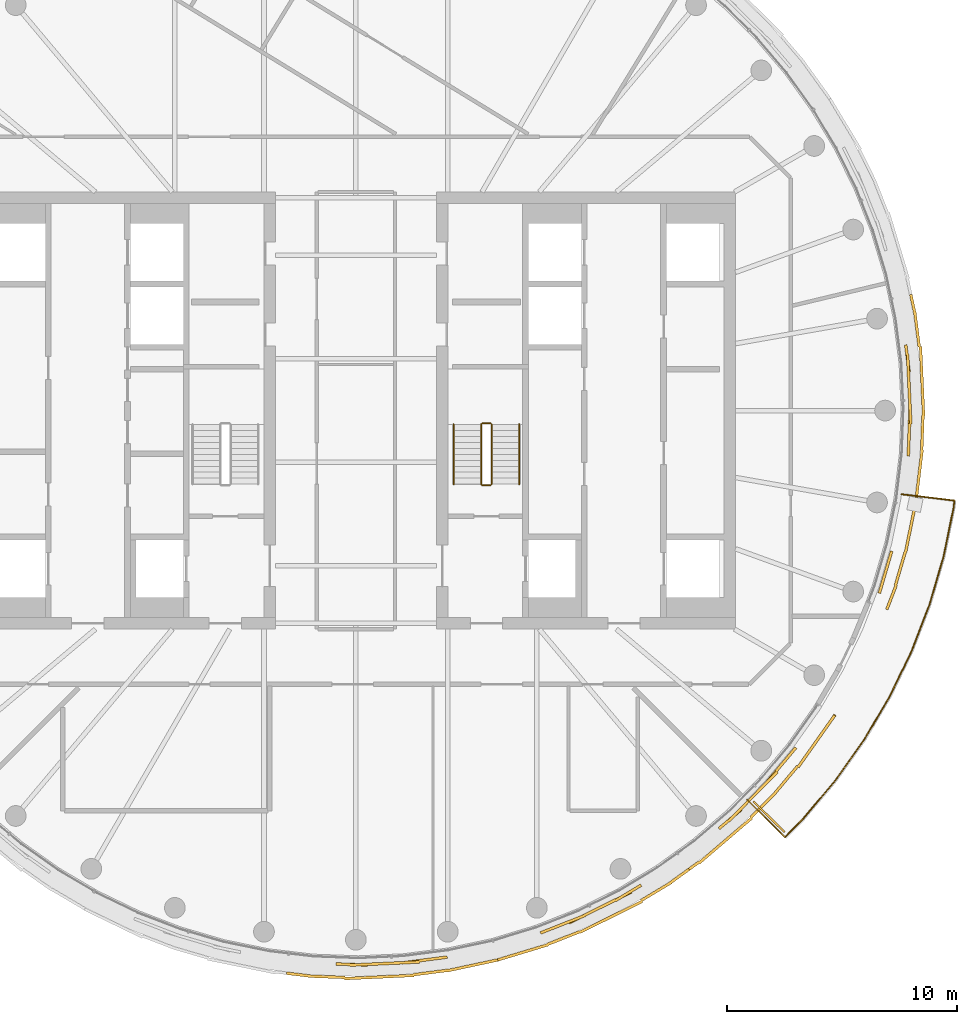
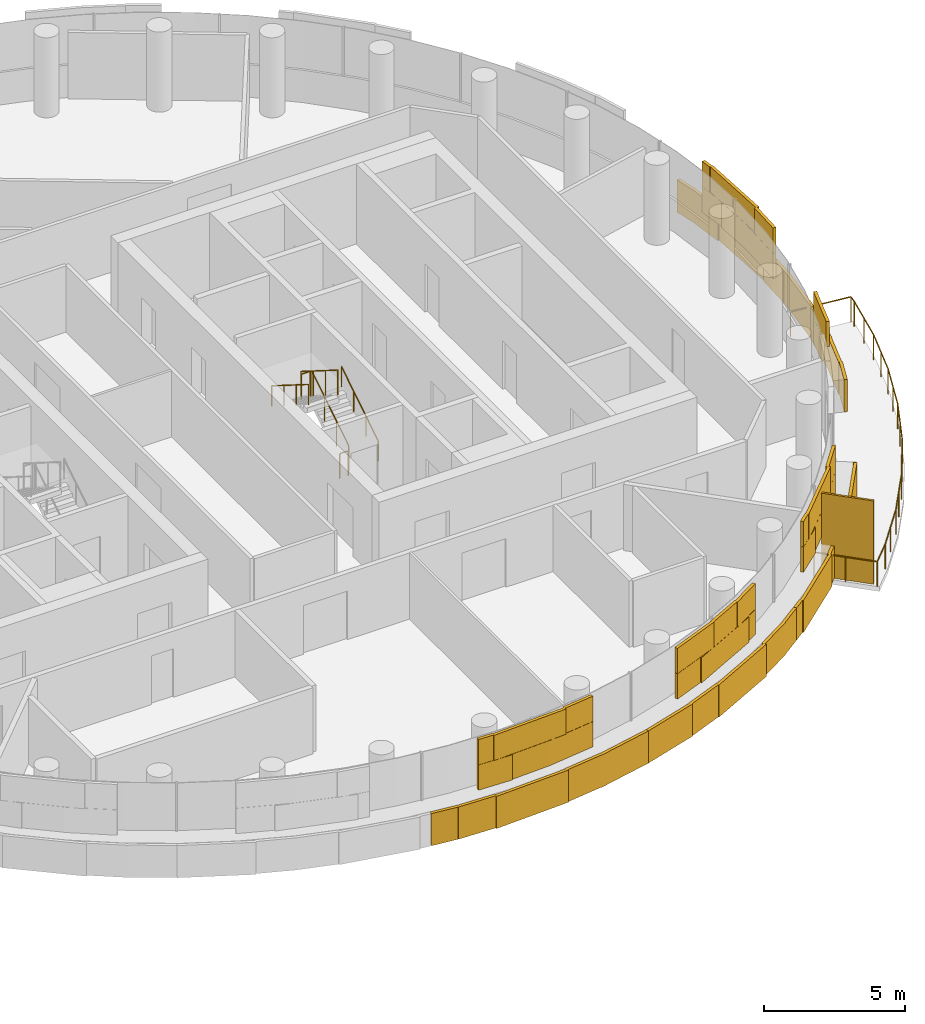
# One storey, part 24 of 27: 7 railings, 5 coverings, 1 shading device.
"""IFC4 building model written with IfcOpenShell, lengths in metres."""

import ifcopenshell
import ifcopenshell.guid

model = None  # the IFC model being written
_history = None  # IfcOwnerHistory: only IFC2X3 demands one
_inside = {}  # id of a spatial element -> (the spatial element, [elements in it])
_under = {}  # id of a project, library or spatial element -> (it, [spatial elements below it])
_declared = {}  # id of a project -> (the project, [libraries it declares])
_typed = {}  # id of a type object -> (the type object, [elements of that type])
_made_of = {}  # id of a material, layer set ... -> (it, [elements and type objects made of it])


def new_model(schema):
    """Start an empty IFC model of exactly this schema.

    Asked for "IFC4X3", IfcOpenShell would pick the latest addendum, in which some entities
    have other attributes; the version numbers below select the first issue.
    IFC2X3 requires an IfcOwnerHistory on every rooted entity: one is made here for all.
    """
    global model, _history
    if schema == "IFC4X3":
        model = ifcopenshell.file(schema_version=(4, 3, 0, 0))
    else:
        model = ifcopenshell.file(schema=schema)
    _inside.clear()
    _under.clear()
    _declared.clear()
    _typed.clear()
    _made_of.clear()
    _history = None
    if model.schema == "IFC2X3":
        org = make("IfcOrganization", Name="unknown")
        user = make(
            "IfcPersonAndOrganization",
            ThePerson=make("IfcPerson", FamilyName="unknown"),
            TheOrganization=org,
        )
        app = make(
            "IfcApplication",
            ApplicationDeveloper=org,
            Version="unknown",
            ApplicationFullName="unknown",
            ApplicationIdentifier="unknown",
        )
        _history = make(
            "IfcOwnerHistory",
            OwningUser=user,
            OwningApplication=app,
            ChangeAction="ADDED",
            CreationDate=0,
        )
    return model


def make(cls, **values):
    """One entity of the class cls with the attributes given. An attribute that is None is left unset."""
    return model.create_entity(
        cls, **{name: value for name, value in values.items() if value is not None}
    )


def rooted(cls, **values):
    """An entity with a GlobalId (a new one), such as an element, a storey or a relation."""
    return make(cls, GlobalId=ifcopenshell.guid.new(), OwnerHistory=_history, **values)


def si_unit(unit_type, name, prefix=None):
    """IfcSIUnit, for example si_unit("LENGTHUNIT", "METRE", prefix="MILLI")."""
    return make("IfcSIUnit", UnitType=unit_type, Prefix=prefix, Name=name)


def assignment(units):
    """IfcUnitAssignment: the units of a project."""
    return None if units is None else make("IfcUnitAssignment", Units=units)


def point(xyz):
    """IfcCartesianPoint."""
    return None if xyz is None else make("IfcCartesianPoint", Coordinates=xyz)


def direction(xyz):
    """IfcDirection."""
    return None if xyz is None else make("IfcDirection", DirectionRatios=xyz)


def frame(location, z_axis=None, x_axis=None):
    """IfcAxis2Placement3D, a coordinate frame: its origin and axes. An axis left out is left unset."""
    return make(
        "IfcAxis2Placement3D",
        Location=point(location),
        Axis=direction(z_axis),
        RefDirection=direction(x_axis),
    )


def frame_2d(location, x_axis=None):
    """IfcAxis2Placement2D, a coordinate frame in the plane: its origin and x axis."""
    return make(
        "IfcAxis2Placement2D", Location=point(location), RefDirection=direction(x_axis)
    )


def origin():
    """The frame at (0, 0, 0) with its axes left unset."""
    return frame((0.0, 0.0, 0.0))


def origin_2d():
    """The frame at (0, 0) in the plane with its x axis left unset."""
    return frame_2d((0.0, 0.0))


def place(relative_to, where):
    """IfcLocalPlacement: puts the frame where relative to a parent placement (None: the world)."""
    return make(
        "IfcLocalPlacement", PlacementRelTo=relative_to, RelativePlacement=where
    )


def context(
    kind, dimensions, precision=None, world=None, true_north=None, identifier=None
):
    """IfcGeometricRepresentationContext, for example the 3D "Model" context."""
    return make(
        "IfcGeometricRepresentationContext",
        ContextIdentifier=identifier,
        ContextType=kind,
        CoordinateSpaceDimension=dimensions,
        Precision=precision,
        WorldCoordinateSystem=world,
        TrueNorth=true_north,
    )


def subcontext(parent, identifier, kind, view, scale=None):
    """IfcGeometricRepresentationSubContext, for example "Body" below "Model"."""
    return make(
        "IfcGeometricRepresentationSubContext",
        ContextIdentifier=identifier,
        ContextType=kind,
        ParentContext=parent,
        TargetScale=scale,
        TargetView=view,
    )


def project(units=None, contexts=None):
    """IfcProject with its units and contexts."""
    return rooted(
        "IfcProject",
        Name="project",
        RepresentationContexts=contexts,
        UnitsInContext=assignment(units),
    )


def spatial(cls, under=None, at=None, **own):
    """A site, building, storey or space (cls), placed at a placement, below another one or the project."""
    s = rooted(cls, ObjectPlacement=at, **own)
    if under is not None:
        _under.setdefault(under.id(), (under, []))[1].append(s)
    return s


def profile(cls, at=None, kind="AREA", **sizes):
    """A parametric profile (cls). Its sizes go by their IFC names, for example OverallWidth=200.0."""
    return make(cls, ProfileType=kind, Position=at, **sizes)


def rectangle(**sizes):
    """IfcRectangleProfileDef."""
    return profile("IfcRectangleProfileDef", **sizes)


def circle(**sizes):
    """IfcCircleProfileDef."""
    return profile("IfcCircleProfileDef", **sizes)


def extrude(swept, where, along, depth):
    """IfcExtrudedAreaSolid: the profile swept, set in the frame where, extruded along a direction by depth."""
    return make(
        "IfcExtrudedAreaSolid",
        SweptArea=swept,
        Position=where,
        ExtrudedDirection=direction(along),
        Depth=depth,
    )


def shape(context_of_items, identifier, shape_type, items):
    """IfcShapeRepresentation: the items that make up one representation, for example the "Body"."""
    return make(
        "IfcShapeRepresentation",
        ContextOfItems=context_of_items,
        RepresentationIdentifier=identifier,
        RepresentationType=shape_type,
        Items=items,
    )


def material(Name=None, Category=None):
    """IfcMaterial."""
    return make("IfcMaterial", Name=Name, Category=Category)


def layer(
    of_material, thickness, ventilated=None, Name=None, Category=None, Priority=None
):
    """IfcMaterialLayer: one layer of a wall or slab, of a material (None: an air gap)."""
    return make(
        "IfcMaterialLayer",
        Material=of_material,
        LayerThickness=thickness,
        IsVentilated=ventilated,
        Name=Name,
        Category=Category,
        Priority=Priority,
    )


def layer_set(layers, Name=None):
    """IfcMaterialLayerSet."""
    return make("IfcMaterialLayerSet", MaterialLayers=layers, LayerSetName=Name)


def made_of(thing, what):
    """Note that an element or type object is made of a material, layer set ...; save() writes the relation."""
    if what is not None:
        _made_of.setdefault(what.id(), (what, []))[1].append(thing)
    return thing


def type_object(cls, material=None, **own):
    """A type object (cls), such as IfcWallType, which elements share."""
    return made_of(rooted(cls, **own), material)


def element(
    cls,
    number,
    at=None,
    inside=None,
    cuts=None,
    type_object=None,
    material=None,
    context=None,
    identifier="Body",
    shape_type=None,
    held_by="IfcProductDefinitionShape",
    body=None,
    shapes=None,
    **own,
):
    """One element of the class cls, such as IfcWall. Its Tag is "e" and its number.

    at: its placement. inside: the storey or other place that contains it. cuts: it is an
    opening in that element (IfcRelVoidsElement). A single representation is given by context,
    identifier, shape_type and body (its items); several are given by shapes. held_by: the class
    of the entity that holds the representations. save() writes the other relations.
    """
    e = rooted(cls, Tag="e%d" % number, ObjectPlacement=at, **own)
    if body is not None:
        shapes = [shape(context, identifier, shape_type, body)]
    if shapes is not None:
        e.Representation = make(held_by, Representations=shapes)
    if inside is not None:
        _inside.setdefault(inside.id(), (inside, []))[1].append(e)
    if cuts is not None:
        rooted(
            "IfcRelVoidsElement", RelatingBuildingElement=cuts, RelatedOpeningElement=e
        )
    if type_object is not None:
        _typed.setdefault(type_object.id(), (type_object, []))[1].append(e)
    return made_of(e, material)


def aggregate(whole, parts):
    """IfcRelAggregates: a whole, such as a stair, and the parts it consists of."""
    return rooted("IfcRelAggregates", RelatingObject=whole, RelatedObjects=parts)


def save(model, path):
    """Write the relations noted so far, then the file.

    IfcRelAggregates (storeys below a building ...), IfcRelContainedInSpatialStructure (elements
    in a storey), IfcRelDefinesByType, IfcRelAssociatesMaterial and IfcRelDeclares: one each for
    every whole, place, type object, material and project.
    """
    for whole, parts in _under.values():
        aggregate(whole, parts)
    for where, things in _inside.values():
        rooted(
            "IfcRelContainedInSpatialStructure",
            RelatedElements=things,
            RelatingStructure=where,
        )
    for kind, things in _typed.values():
        rooted("IfcRelDefinesByType", RelatedObjects=things, RelatingType=kind)
    for what, things in _made_of.values():
        rooted("IfcRelAssociatesMaterial", RelatedObjects=things, RelatingMaterial=what)
    for by, libraries in _declared.values():
        rooted("IfcRelDeclares", RelatingContext=by, RelatedDefinitions=libraries)
    model.write(path)


model = new_model("IFC4")

# Units and contexts
model_context = context("Model", 3, precision=1e-05, world=origin(), true_north=direction((0.0, 1.0)))
body_context = subcontext(model_context, "Body", "Model", "MODEL_VIEW")
ifc_project = project(units=[si_unit("LENGTHUNIT", "METRE"), si_unit("AREAUNIT", "SQUARE_METRE"), si_unit("VOLUMEUNIT", "CUBIC_METRE"), si_unit("PLANEANGLEUNIT", "RADIAN"), si_unit("MASSUNIT", "GRAM", prefix="KILO")], contexts=[model_context])

# Site, building, storey
site_placement = place(None, origin())
site = spatial("IfcSite", under=ifc_project, at=site_placement, CompositionType="ELEMENT")
building_placement = place(site_placement, origin())
building = spatial("IfcBuilding", under=site, at=building_placement, Name="Tamarind Cross Interchange Tower", CompositionType="ELEMENT")
storey_placement = place(building_placement, frame((0.0, 0.0, 245.10009765625)))
storey = spatial("IfcBuildingStorey", under=building, at=storey_placement, Name="L62", CompositionType="ELEMENT", Elevation=245.10009765625)

# Railing
ifc_material_1 = material(Name="Stainless steel and laminated glass", Category="steel")
railing_type_1 = type_object("IfcRailingType", Name="Balcony guard", PredefinedType="BALUSTRADE", material=ifc_material_1)
railing_1_placement = place(storey_placement, frame((17.0009765625, -16.905517578125, 0.0)))
element("IfcRailing", 1, at=railing_1_placement, inside=storey, type_object=railing_type_1, Name="Balcony guard 06", PredefinedType="BALUSTRADE", context=body_context, shape_type="SweptSolid", body=[
    extrude(circle(Radius=0.02490234375, at=origin_2d()), frame((0.0, 0.0, 1.0751953125), z_axis=(0.710152123187, -0.704048266764, 0.0), x_axis=(0.704048266764, 0.710152123187, 0.0)), (0.0, 0.0, 1.0), 2.31982421875),
    extrude(circle(Radius=0.02490234375, at=origin_2d()), frame((1.6474609375, -1.63330078125, 1.0751953125), z_axis=(0.704057071599, 0.710143393922, 0.0), x_axis=(-0.710143393922, 0.704057071599, 0.0)), (0.0, 0.0, 1.0), 1.123046875),
    extrude(circle(Radius=0.02490234375, at=origin_2d()), frame((2.438232421875, -0.835693359375, 1.0751953125), z_axis=(0.642984125922, 0.765879503455, 0.0), x_axis=(-0.765879503455, 0.642984125922, 0.0)), (0.0, 0.0, 1.0), 2.17529296875),
    extrude(circle(Radius=0.02490234375, at=origin_2d()), frame((3.8369140625, 0.830322265625, 1.0751953125), z_axis=(0.577590617379, 0.81632657602, 0.0), x_axis=(-0.81632657602, 0.577590617379, 0.0)), (0.0, 0.0, 1.0), 2.175048828125),
    extrude(circle(Radius=0.02490234375, at=origin_2d()), frame((5.09326171875, 2.60595703125, 1.0751953125), z_axis=(0.508226290333, 0.861223570169, 0.0), x_axis=(-0.861223570169, 0.508226290333, 0.0)), (0.0, 0.0, 1.0), 2.175048828125),
    extrude(circle(Radius=0.02490234375, at=origin_2d()), frame((6.19873046875, 4.479248046875, 1.0751953125), z_axis=(0.435276325285, 0.90029690694, 0.0), x_axis=(-0.90029690694, 0.435276325285, 0.0)), (0.0, 0.0, 1.0), 2.175048828125),
    extrude(circle(Radius=0.02490234375, at=origin_2d()), frame((7.1455078125, 6.4375, 1.0751953125), z_axis=(0.359497979449, 0.93314586361, 0.0), x_axis=(-0.93314586361, 0.359497979449, 0.0)), (0.0, 0.0, 1.0), 2.17529296875),
    extrude(circle(Radius=0.02490234375, at=origin_2d()), frame((7.927490234375, 8.46728515625, 1.0751953125), z_axis=(0.281266871208, 0.959629588519, 0.0), x_axis=(-0.959629588519, 0.281266871208, 0.0)), (0.0, 0.0, 1.0), 2.17529296875),
    extrude(circle(Radius=0.02490234375, at=origin_2d()), frame((8.539306640625, 10.5546875, 1.0751953125), z_axis=(0.200905479979, 0.97961063087, 0.0), x_axis=(-0.97961063087, 0.200905479979, 0.0)), (0.0, 0.0, 1.0), 2.17529296875),
    extrude(circle(Radius=0.02490234375, at=origin_2d()), frame((8.976318359375, 12.685546875, 1.0751953125), z_axis=(0.120048324189, 0.992768049375, 0.0), x_axis=(-0.992768049375, 0.120048324189, 0.0)), (0.0, 0.0, 1.0), 0.30908203125),
    extrude(circle(Radius=0.02490234375, at=origin_2d()), frame((9.013427734375, 12.992431640625, 1.0751953125), z_axis=(-0.992841940747, 0.119435675967, 0.0), x_axis=(-0.119435675967, -0.992841940747, 0.0)), (0.0, 0.0, 1.0), 2.320068359375),
    extrude(circle(Radius=0.02001953125, at=origin_2d()), origin(), (0.0, 0.0, 1.0), 1.050048828125),
    extrude(circle(Radius=0.02001953125, at=origin_2d()), frame((0.82373046875, -0.816650390625, 0.0)), (0.0, 0.0, 1.0), 1.050048828125),
    extrude(circle(Radius=0.02001953125, at=origin_2d()), frame((1.6474609375, -1.63330078125, 0.0)), (0.0, 0.0, 1.0), 1.050048828125),
    extrude(circle(Radius=0.02001953125, at=origin_2d()), frame((2.438232421875, -0.835693359375, 0.0)), (0.0, 0.0, 1.0), 1.050048828125),
    extrude(circle(Radius=0.02001953125, at=origin_2d()), frame((3.1376953125, -0.002685546875, 0.0)), (0.0, 0.0, 1.0), 1.050048828125),
    extrude(circle(Radius=0.02001953125, at=origin_2d()), frame((3.8369140625, 0.830322265625, 0.0)), (0.0, 0.0, 1.0), 1.050048828125),
    extrude(circle(Radius=0.02001953125, at=origin_2d()), frame((4.465087890625, 1.71826171875, 0.0)), (0.0, 0.0, 1.0), 1.050048828125),
    extrude(circle(Radius=0.02001953125, at=origin_2d()), frame((5.09326171875, 2.60595703125, 0.0)), (0.0, 0.0, 1.0), 1.050048828125),
    extrude(circle(Radius=0.02001953125, at=origin_2d()), frame((5.64599609375, 3.54248046875, 0.0)), (0.0, 0.0, 1.0), 1.050048828125),
    extrude(circle(Radius=0.02001953125, at=origin_2d()), frame((6.19873046875, 4.479248046875, 0.0)), (0.0, 0.0, 1.0), 1.050048828125),
    extrude(circle(Radius=0.02001953125, at=origin_2d()), frame((6.672119140625, 5.45849609375, 0.0)), (0.0, 0.0, 1.0), 1.050048828125),
    extrude(circle(Radius=0.02001953125, at=origin_2d()), frame((7.1455078125, 6.4375, 0.0)), (0.0, 0.0, 1.0), 1.050048828125),
    extrude(circle(Radius=0.02001953125, at=origin_2d()), frame((7.53662109375, 7.452392578125, 0.0)), (0.0, 0.0, 1.0), 1.050048828125),
    extrude(circle(Radius=0.02001953125, at=origin_2d()), frame((7.927490234375, 8.46728515625, 0.0)), (0.0, 0.0, 1.0), 1.050048828125),
    extrude(circle(Radius=0.02001953125, at=origin_2d()), frame((8.2333984375, 9.510986328125, 0.0)), (0.0, 0.0, 1.0), 1.050048828125),
    extrude(circle(Radius=0.02001953125, at=origin_2d()), frame((8.539306640625, 10.5546875, 0.0)), (0.0, 0.0, 1.0), 1.050048828125),
    extrude(circle(Radius=0.02001953125, at=origin_2d()), frame((8.7578125, 11.6201171875, 0.0)), (0.0, 0.0, 1.0), 1.050048828125),
    extrude(circle(Radius=0.02001953125, at=origin_2d()), frame((8.976318359375, 12.685546875, 0.0)), (0.0, 0.0, 1.0), 1.050048828125),
    extrude(circle(Radius=0.02001953125, at=origin_2d()), frame((9.013427734375, 12.992431640625, 0.0)), (0.0, 0.0, 1.0), 1.050048828125),
    extrude(circle(Radius=0.02001953125, at=origin_2d()), frame((7.86181640625, 13.130859375, 0.0)), (0.0, 0.0, 1.0), 1.050048828125),
    extrude(circle(Radius=0.02001953125, at=origin_2d()), frame((6.7099609375, 13.26953125, 0.0)), (0.0, 0.0, 1.0), 1.050048828125),
])

# Shading device
ifc_material_2 = material(Name="Bronze-finish aluminium louvre", Category="aluminium")
ifc_layer_1 = layer(ifc_material_2, 0.080078125)
ifc_layer_set_1 = layer_set([ifc_layer_1], Name="Bronze-finish aluminium louvre")
shading_device_type = type_object("IfcShadingDeviceType", Name="Operable louvre bay", PredefinedType="JALOUSIE", material=ifc_layer_set_1)
shading_device_placement = place(storey_placement, origin())
element("IfcShadingDevice", 2, at=shading_device_placement, inside=storey, type_object=shading_device_type, Name="LVR-L62-BAL06", PredefinedType="JALOUSIE", context=body_context, shape_type="SweptSolid", body=[
    extrude(rectangle(XDim=1.89990234375, YDim=0.080078125, at=origin_2d()), frame((17.95166015625, -17.65087890625, -0.000244140625), z_axis=(0.0, 0.0, 1.0), x_axis=(0.710143317658, -0.704057148523, 0.0)), (0.0, 0.0, 1.0), 3.60009765625),
])

# Railings
ifc_material_3 = material(Name="Stair guard")
railing_type_2 = type_object("IfcRailingType", Name="Stair guard", PredefinedType="GUARDRAIL", material=ifc_material_3)
railing_2_placement = place(storey_placement, frame((5.89990234375, -3.199951171875, 0.16357421875)))
element("IfcRailing", 3, at=railing_2_placement, inside=storey, type_object=railing_type_2, Name="L62 ST2 stair guard 1", PredefinedType="GUARDRAIL", context=body_context, shape_type="SweptSolid", body=[
    extrude(circle(Radius=0.02392578125, at=origin_2d()), frame((0.0, 0.0, 1.076171875), z_axis=(0.0, 0.846337672412, 0.532646734952), x_axis=(-1.0, 0.0, 0.0)), (0.0, 0.0, 1.0), 3.07177734375),
    extrude(circle(Radius=0.02099609375, at=origin_2d()), origin(), (0.0, 0.0, 1.0), 1.052001953125),
    extrude(circle(Radius=0.02099609375, at=origin_2d()), frame((0.0, 0.86669921875, 0.54541015625)), (0.0, 0.0, 1.0), 1.052001953125),
    extrude(circle(Radius=0.02099609375, at=origin_2d()), frame((0.0, 1.733154296875, 1.0908203125)), (0.0, 0.0, 1.0), 1.052001953125),
    extrude(circle(Radius=0.02099609375, at=origin_2d()), frame((0.0, 2.599853515625, 1.63623046875)), (0.0, 0.0, 1.0), 1.052001953125),
])
railing_3_placement = place(storey_placement, frame((5.85009765625, -0.550048828125, 1.7998046875)))
element("IfcRailing", 4, at=railing_3_placement, inside=storey, type_object=railing_type_2, Name="L62 ST2 stair guard 2", PredefinedType="GUARDRAIL", context=body_context, shape_type="SweptSolid", body=[
    extrude(circle(Radius=0.02392578125, at=origin_2d()), frame((0.0, 0.0, 1.076171875), z_axis=(-1.0, 0.0, 0.0), x_axis=(0.0, -1.0, 0.0)), (0.0, 0.0, 1.0), 0.35009765625),
    extrude(circle(Radius=0.02099609375, at=origin_2d()), origin(), (0.0, 0.0, 1.0), 1.052001953125),
    extrude(circle(Radius=0.02099609375, at=origin_2d()), frame((-0.35009765625, 0.0, 0.0)), (0.0, 0.0, 1.0), 1.052001953125),
])
railing_4_placement = place(storey_placement, frame((5.449951171875, -0.60009765625, 1.963623046875)))
element("IfcRailing", 5, at=railing_4_placement, inside=storey, type_object=railing_type_2, Name="L62 ST2 stair guard 3", PredefinedType="GUARDRAIL", context=body_context, shape_type="SweptSolid", body=[
    extrude(circle(Radius=0.02392578125, at=origin_2d()), frame((0.0, 0.0, 1.076171875), z_axis=(0.0, -0.846337672412, 0.532646734952), x_axis=(1.0, 0.0, 0.0)), (0.0, 0.0, 1.0), 3.07177734375),
    extrude(circle(Radius=0.02099609375, at=origin_2d()), origin(), (0.0, 0.0, 1.0), 1.052001953125),
    extrude(circle(Radius=0.02099609375, at=origin_2d()), frame((0.0, -0.86669921875, 0.54541015625)), (0.0, 0.0, 1.0), 1.052001953125),
    extrude(circle(Radius=0.02099609375, at=origin_2d()), frame((0.0, -1.733154296875, 1.0908203125)), (0.0, 0.0, 1.0), 1.052001953125),
    extrude(circle(Radius=0.02099609375, at=origin_2d()), frame((0.0, -2.599853515625, 1.63623046875)), (0.0, 0.0, 1.0), 1.052001953125),
])
railing_5_placement = place(storey_placement, frame((5.85009765625, -3.25, 0.0)))
element("IfcRailing", 6, at=railing_5_placement, inside=storey, type_object=railing_type_2, Name="L62 ST2 stair guard 4", PredefinedType="GUARDRAIL", context=body_context, shape_type="SweptSolid", body=[
    extrude(circle(Radius=0.02392578125, at=origin_2d()), frame((0.0, 0.0, 1.076171875), z_axis=(-1.0, 0.0, 0.0), x_axis=(0.0, -1.0, 0.0)), (0.0, 0.0, 1.0), 0.35009765625),
    extrude(circle(Radius=0.02099609375, at=origin_2d()), origin(), (0.0, 0.0, 1.0), 1.052001953125),
    extrude(circle(Radius=0.02099609375, at=origin_2d()), frame((-0.35009765625, 0.0, 0.0)), (0.0, 0.0, 1.0), 1.052001953125),
])
ifc_material_4 = material(Name="Stair handrail")
railing_type_3 = type_object("IfcRailingType", Name="Stair handrail", PredefinedType="HANDRAIL", material=ifc_material_4)
railing_6_placement = place(storey_placement, frame((7.10009765625, -3.199951171875, 0.16357421875)))
element("IfcRailing", 7, at=railing_6_placement, inside=storey, type_object=railing_type_3, Name="L62 ST2 stair handrail 1", PredefinedType="HANDRAIL", context=body_context, shape_type="SweptSolid", body=[
    extrude(circle(Radius=0.02392578125, at=origin_2d()), frame((0.0, 0.0, 0.8759765625), z_axis=(0.0, 0.846337672412, 0.532646734952), x_axis=(-1.0, 0.0, 0.0)), (0.0, 0.0, 1.0), 3.07177734375),
    extrude(circle(Radius=0.02099609375, at=origin_2d()), origin(), (0.0, 0.0, 1.0), 0.851806640625),
    extrude(circle(Radius=0.02099609375, at=origin_2d()), frame((0.0, 0.86669921875, 0.54541015625)), (0.0, 0.0, 1.0), 0.851806640625),
    extrude(circle(Radius=0.02099609375, at=origin_2d()), frame((0.0, 1.733154296875, 1.0908203125)), (0.0, 0.0, 1.0), 0.851806640625),
    extrude(circle(Radius=0.02099609375, at=origin_2d()), frame((0.0, 2.599853515625, 1.63623046875)), (0.0, 0.0, 1.0), 0.851806640625),
])
railing_7_placement = place(storey_placement, frame((4.25, -0.60009765625, 1.963623046875)))
element("IfcRailing", 8, at=railing_7_placement, inside=storey, type_object=railing_type_3, Name="L62 ST2 stair handrail 2", PredefinedType="HANDRAIL", context=body_context, shape_type="SweptSolid", body=[
    extrude(circle(Radius=0.02392578125, at=origin_2d()), frame((0.0, 0.0, 0.8759765625), z_axis=(0.0, -0.846337672412, 0.532646734952), x_axis=(1.0, 0.0, 0.0)), (0.0, 0.0, 1.0), 3.07177734375),
    extrude(circle(Radius=0.02099609375, at=origin_2d()), origin(), (0.0, 0.0, 1.0), 0.851806640625),
    extrude(circle(Radius=0.02099609375, at=origin_2d()), frame((0.0, -0.86669921875, 0.54541015625)), (0.0, 0.0, 1.0), 0.851806640625),
    extrude(circle(Radius=0.02099609375, at=origin_2d()), frame((0.0, -1.733154296875, 1.0908203125)), (0.0, 0.0, 1.0), 0.851806640625),
    extrude(circle(Radius=0.02099609375, at=origin_2d()), frame((0.0, -2.599853515625, 1.63623046875)), (0.0, 0.0, 1.0), 0.851806640625),
])

# Coverings
ifc_material_5 = material(Name="Terracotta", Category="masonry")
ifc_layer_2 = layer(ifc_material_5, 0.1201171875)
ifc_layer_set_2 = layer_set([ifc_layer_2], Name="Terracotta")
covering_type = type_object("IfcCoveringType", Name="Terracotta baguette screen unit", PredefinedType="MOLDING", material=ifc_layer_set_2)
covering_1_placement = place(storey_placement, origin())
element("IfcCovering", 9, at=covering_1_placement, inside=storey, type_object=covering_type, Name="SCR-L62-06-02", PredefinedType="MOLDING", context=body_context, shape_type="SweptSolid", body=[
    extrude(rectangle(XDim=1.36572265625, YDim=0.1201171875, at=origin_2d()), frame((-0.1796875, -24.0751953125, 1.40380859375), z_axis=(0.0, 0.0, 1.0), x_axis=(0.999314350871, -0.037024696392, 0.0)), (0.0, 0.0, 1.0), 1.092041015625),
    extrude(rectangle(XDim=1.52001953125, YDim=0.1201171875, at=origin_2d()), frame((1.246826171875, -24.03369140625, 1.40380859375), z_axis=(0.0, 0.0, 1.0), x_axis=(0.998958660912, 0.045624486728, 0.0)), (0.0, 0.0, 1.0), 1.092041015625),
    extrude(rectangle(XDim=1.52001953125, YDim=0.1201171875, at=origin_2d()), frame((2.740478515625, -23.911376953125, 1.40380859375), z_axis=(0.0, 0.0, 1.0), x_axis=(0.991779070368, 0.127962008342, 0.0)), (0.0, 0.0, 1.0), 1.092041015625),
    extrude(rectangle(XDim=0.4970703125, YDim=0.1201171875, at=origin_2d()), frame((3.72607421875, -23.7841796875, 1.40380859375), z_axis=(0.0, 0.0, 1.0), x_axis=(0.991779070368, 0.127962008342, 0.0)), (0.0, 0.0, 1.0), 1.092041015625),
    extrude(rectangle(XDim=0.61572265625, YDim=0.1201171875, at=origin_2d()), frame((-0.554443359375, -24.0615234375, 2.50390625), z_axis=(0.0, 0.0, 1.0), x_axis=(0.999314350871, -0.037024696392, 0.0)), (0.0, 0.0, 1.0), 1.092041015625),
    extrude(rectangle(XDim=1.52001953125, YDim=0.1201171875, at=origin_2d()), frame((0.49755859375, -24.06787109375, 2.50390625), z_axis=(0.0, 0.0, 1.0), x_axis=(0.998958660912, 0.045624486728, 0.0)), (0.0, 0.0, 1.0), 1.092041015625),
    extrude(rectangle(XDim=1.52001953125, YDim=0.1201171875, at=origin_2d()), frame((1.99609375, -23.999267578125, 2.50390625), z_axis=(0.0, 0.0, 1.0), x_axis=(0.998958660912, 0.045624486728, 0.0)), (0.0, 0.0, 1.0), 1.092041015625),
    extrude(rectangle(XDim=1.2470703125, YDim=0.1201171875, at=origin_2d()), frame((3.35400390625, -23.832275390625, 2.50390625), z_axis=(0.0, 0.0, 1.0), x_axis=(0.991779070368, 0.127962008342, 0.0)), (0.0, 0.0, 1.0), 1.092041015625),
    extrude(rectangle(XDim=1.04638671875, YDim=0.1201171875, at=origin_2d()), frame((-2.49951171875, -24.516357421875, 0.00390625), z_axis=(0.0, 0.0, 1.0), x_axis=(0.992843710523, -0.119420963295, 0.0)), (0.0, 0.0, 1.0), 1.39208984375),
    extrude(rectangle(XDim=1.52001953125, YDim=0.1201171875, at=origin_2d()), frame((-1.240966796875, -24.6103515625, 0.00390625), z_axis=(0.0, 0.0, 1.0), x_axis=(0.999314350871, -0.037024696392, 0.0)), (0.0, 0.0, 1.0), 1.39208984375),
    extrude(rectangle(XDim=1.52001953125, YDim=0.1201171875, at=origin_2d()), frame((0.258056640625, -24.6533203125, 0.00390625), z_axis=(0.0, 0.0, 1.0), x_axis=(0.998958660912, 0.045624486728, 0.0)), (0.0, 0.0, 1.0), 1.39208984375),
    extrude(rectangle(XDim=1.52001953125, YDim=0.1201171875, at=origin_2d()), frame((1.75634765625, -24.5849609375, 0.00390625), z_axis=(0.0, 0.0, 1.0), x_axis=(0.998958660912, 0.045624486728, 0.0)), (0.0, 0.0, 1.0), 1.39208984375),
    extrude(rectangle(XDim=1.52001953125, YDim=0.1201171875, at=origin_2d()), frame((3.246826171875, -24.4248046875, 0.00390625), z_axis=(0.0, 0.0, 1.0), x_axis=(0.991779070368, 0.127962008342, 0.0)), (0.0, 0.0, 1.0), 1.39208984375),
    extrude(rectangle(XDim=1.52001953125, YDim=0.1201171875, at=origin_2d()), frame((4.7265625, -24.18603515625, 0.00390625), z_axis=(0.0, 0.0, 1.0), x_axis=(0.977824623121, 0.209425419705, 0.0)), (0.0, 0.0, 1.0), 1.39208984375),
    extrude(rectangle(XDim=0.732177734375, YDim=0.1201171875, at=origin_2d()), frame((5.80810546875, -23.954345703125, 0.00390625), z_axis=(0.0, 0.0, 1.0), x_axis=(0.977824623121, 0.209425419705, 0.0)), (0.0, 0.0, 1.0), 1.39208984375),
])
covering_2_placement = place(storey_placement, origin())
element("IfcCovering", 10, at=covering_2_placement, inside=storey, type_object=covering_type, Name="SCR-L62-06-03", PredefinedType="MOLDING", context=body_context, shape_type="SweptSolid", body=[
    extrude(rectangle(XDim=1.32275390625, YDim=0.1201171875, at=origin_2d()), frame((8.6396484375, -22.462158203125, 1.40380859375), z_axis=(0.0, 0.0, 1.0), x_axis=(0.930018078613, 0.367513773146, 0.0)), (0.0, 0.0, 1.0), 1.092041015625),
    extrude(rectangle(XDim=1.52001953125, YDim=0.1201171875, at=origin_2d()), frame((9.941162109375, -21.930908203125, 1.40380859375), z_axis=(0.0, 0.0, 1.0), x_axis=(0.896492548518, 0.443058811505, 0.0)), (0.0, 0.0, 1.0), 1.092041015625),
    extrude(rectangle(XDim=1.52001953125, YDim=0.1201171875, at=origin_2d()), frame((11.285888671875, -21.266357421875, 1.40380859375), z_axis=(0.0, 0.0, 1.0), x_axis=(0.896492548518, 0.443058811505, 0.0)), (0.0, 0.0, 1.0), 1.092041015625),
    extrude(rectangle(XDim=0.540283203125, YDim=0.1201171875, at=origin_2d()), frame((12.167724609375, -20.7646484375, 1.40380859375), z_axis=(0.0, 0.0, 1.0), x_axis=(0.856843065292, 0.515577308909, 0.0)), (0.0, 0.0, 1.0), 1.092041015625),
    extrude(rectangle(XDim=0.57275390625, YDim=0.1201171875, at=origin_2d()), frame((8.290771484375, -22.60009765625, 2.50390625), z_axis=(0.0, 0.0, 1.0), x_axis=(0.930018078613, 0.367513773146, 0.0)), (0.0, 0.0, 1.0), 1.092041015625),
    extrude(rectangle(XDim=1.52001953125, YDim=0.1201171875, at=origin_2d()), frame((9.25, -22.220947265625, 2.50390625), z_axis=(0.0, 0.0, 1.0), x_axis=(0.930018078613, 0.367513773146, 0.0)), (0.0, 0.0, 1.0), 1.092041015625),
    extrude(rectangle(XDim=1.52001953125, YDim=0.1201171875, at=origin_2d()), frame((10.613525390625, -21.5986328125, 2.50390625), z_axis=(0.0, 0.0, 1.0), x_axis=(0.896492548518, 0.443058811505, 0.0)), (0.0, 0.0, 1.0), 1.092041015625),
    extrude(rectangle(XDim=1.290283203125, YDim=0.1201171875, at=origin_2d()), frame((11.846435546875, -20.9580078125, 2.50390625), z_axis=(0.0, 0.0, 1.0), x_axis=(0.856843065292, 0.515577308909, 0.0)), (0.0, 0.0, 1.0), 1.092041015625),
    extrude(rectangle(XDim=0.787841796875, YDim=0.1201171875, at=origin_2d()), frame((6.54296875, -23.762939453125, 0.00390625), z_axis=(0.0, 0.0, 1.0), x_axis=(0.957190642199, 0.289458243079, 0.0)), (0.0, 0.0, 1.0), 1.39208984375),
    extrude(rectangle(XDim=1.52001953125, YDim=0.1201171875, at=origin_2d()), frame((7.628173828125, -23.4345703125, 0.00390625), z_axis=(0.0, 0.0, 1.0), x_axis=(0.957190642199, 0.289458243079, 0.0)), (0.0, 0.0, 1.0), 1.39208984375),
    extrude(rectangle(XDim=1.52001953125, YDim=0.1201171875, at=origin_2d()), frame((9.036865234375, -22.92236328125, 0.00390625), z_axis=(0.0, 0.0, 1.0), x_axis=(0.930018078613, 0.367513773146, 0.0)), (0.0, 0.0, 1.0), 1.39208984375),
    extrude(rectangle(XDim=1.52001953125, YDim=0.1201171875, at=origin_2d()), frame((10.41650390625, -22.33642578125, 0.00390625), z_axis=(0.0, 0.0, 1.0), x_axis=(0.896492548518, 0.443058811505, 0.0)), (0.0, 0.0, 1.0), 1.39208984375),
    extrude(rectangle(XDim=1.52001953125, YDim=0.1201171875, at=origin_2d()), frame((11.76123046875, -21.671630859375, 0.00390625), z_axis=(0.0, 0.0, 1.0), x_axis=(0.896492548518, 0.443058811505, 0.0)), (0.0, 0.0, 1.0), 1.39208984375),
    extrude(rectangle(XDim=1.52001953125, YDim=0.1201171875, at=origin_2d()), frame((13.049560546875, -20.904052734375, 0.00390625), z_axis=(0.0, 0.0, 1.0), x_axis=(0.856843065292, 0.515577308909, 0.0)), (0.0, 0.0, 1.0), 1.39208984375),
    extrude(rectangle(XDim=0.9912109375, YDim=0.1201171875, at=origin_2d()), frame((14.080078125, -20.22412109375, 0.00390625), z_axis=(0.0, 0.0, 1.0), x_axis=(0.811340475102, 0.584573890505, 0.0)), (0.0, 0.0, 1.0), 1.39208984375),
])
covering_3_placement = place(storey_placement, origin())
element("IfcCovering", 11, at=covering_3_placement, inside=storey, type_object=covering_type, Name="SCR-L62-06-04", PredefinedType="MOLDING", context=body_context, shape_type="SweptSolid", body=[
    extrude(rectangle(XDim=1.279541015625, YDim=0.1201171875, at=origin_2d()), frame((16.27001953125, -17.752197265625, 1.40380859375), z_axis=(0.0, 0.0, 1.0), x_axis=(0.760295606781, 0.64957723968, 0.0)), (0.0, 0.0, 1.0), 1.092041015625),
    extrude(rectangle(XDim=1.52001953125, YDim=0.1201171875, at=origin_2d()), frame((17.253662109375, -16.7783203125, 1.40380859375), z_axis=(0.0, 0.0, 1.0), x_axis=(0.704057148523, 0.710143317658, 0.0)), (0.0, 0.0, 1.0), 1.092041015625),
    extrude(rectangle(XDim=1.52001953125, YDim=0.1201171875, at=origin_2d()), frame((18.264892578125, -15.671875, 1.40380859375), z_axis=(0.0, 0.0, 1.0), x_axis=(0.643009266048, 0.765858396687, 0.0)), (0.0, 0.0, 1.0), 1.092041015625),
    extrude(rectangle(XDim=0.5830078125, YDim=0.1201171875, at=origin_2d()), frame((18.931396484375, -14.878173828125, 1.40380859375), z_axis=(0.0, 0.0, 1.0), x_axis=(0.643009266048, 0.765858396687, 0.0)), (0.0, 0.0, 1.0), 1.092041015625),
    extrude(rectangle(XDim=0.529541015625, YDim=0.1201171875, at=origin_2d()), frame((15.98486328125, -17.995849609375, 2.50390625), z_axis=(0.0, 0.0, 1.0), x_axis=(0.760295606781, 0.64957723968, 0.0)), (0.0, 0.0, 1.0), 1.092041015625),
    extrude(rectangle(XDim=1.52001953125, YDim=0.1201171875, at=origin_2d()), frame((16.7255859375, -17.310791015625, 2.50390625), z_axis=(0.0, 0.0, 1.0), x_axis=(0.704057148523, 0.710143317658, 0.0)), (0.0, 0.0, 1.0), 1.092041015625),
    extrude(rectangle(XDim=1.52001953125, YDim=0.1201171875, at=origin_2d()), frame((17.78173828125, -16.24560546875, 2.50390625), z_axis=(0.0, 0.0, 1.0), x_axis=(0.704057148523, 0.710143317658, 0.0)), (0.0, 0.0, 1.0), 1.092041015625),
    extrude(rectangle(XDim=1.3330078125, YDim=0.1201171875, at=origin_2d()), frame((18.690185546875, -15.165283203125, 2.50390625), z_axis=(0.0, 0.0, 1.0), x_axis=(0.643009266048, 0.765858396687, 0.0)), (0.0, 0.0, 1.0), 1.092041015625),
    extrude(rectangle(XDim=0.52880859375, YDim=0.1201171875, at=origin_2d()), frame((14.696533203125, -19.77978515625, 0.00390625), z_axis=(0.0, 0.0, 1.0), x_axis=(0.811340475102, 0.584573890505, 0.0)), (0.0, 0.0, 1.0), 1.39208984375),
    extrude(rectangle(XDim=1.52001953125, YDim=0.1201171875, at=origin_2d()), frame((15.493896484375, -19.170166015625, 0.00390625), z_axis=(0.0, 0.0, 1.0), x_axis=(0.760295606781, 0.64957723968, 0.0)), (0.0, 0.0, 1.0), 1.39208984375),
    extrude(rectangle(XDim=1.52001953125, YDim=0.1201171875, at=origin_2d()), frame((16.63427734375, -18.19580078125, 0.00390625), z_axis=(0.0, 0.0, 1.0), x_axis=(0.760295606781, 0.64957723968, 0.0)), (0.0, 0.0, 1.0), 1.39208984375),
    extrude(rectangle(XDim=1.52001953125, YDim=0.1201171875, at=origin_2d()), frame((17.701171875, -17.142333984375, 0.00390625), z_axis=(0.0, 0.0, 1.0), x_axis=(0.704057148523, 0.710143317658, 0.0)), (0.0, 0.0, 1.0), 1.39208984375),
    extrude(rectangle(XDim=1.52001953125, YDim=0.1201171875, at=origin_2d()), frame((18.710205078125, -16.0341796875, 0.00390625), z_axis=(0.0, 0.0, 1.0), x_axis=(0.643009266048, 0.765858396687, 0.0)), (0.0, 0.0, 1.0), 1.39208984375),
    extrude(rectangle(XDim=1.52001953125, YDim=0.1201171875, at=origin_2d()), frame((19.65966796875, -14.87353515625, 0.00390625), z_axis=(0.0, 0.0, 1.0), x_axis=(0.577568978284, 0.816341886298, 0.0)), (0.0, 0.0, 1.0), 1.39208984375),
    extrude(rectangle(XDim=1.24951171875, YDim=0.1201171875, at=origin_2d()), frame((20.44775390625, -13.759521484375, 0.00390625), z_axis=(0.0, 0.0, 1.0), x_axis=(0.577568978284, 0.816341886298, 0.0)), (0.0, 0.0, 1.0), 1.39208984375),
])
covering_4_placement = place(storey_placement, origin())
element("IfcCovering", 12, at=covering_4_placement, inside=storey, type_object=covering_type, Name="SCR-L62-06-05", PredefinedType="MOLDING", context=body_context, shape_type="SweptSolid", body=[
    extrude(rectangle(XDim=1.15478515625, YDim=0.1201171875, at=origin_2d()), frame((23.12548828125, -6.6611328125, 1.40380859375), z_axis=(0.0, 0.0, 1.0), x_axis=(0.281208920763, 0.95964657186, 0.0)), (0.0, 0.0, 1.0), 1.092041015625),
    extrude(rectangle(XDim=1.52001953125, YDim=0.1201171875, at=origin_2d()), frame((22.964599609375, -7.21044921875, 2.50390625), z_axis=(0.0, 0.0, 1.0), x_axis=(0.281208920763, 0.95964657186, 0.0)), (0.0, 0.0, 1.0), 1.092041015625),
    extrude(rectangle(XDim=0.40478515625, YDim=0.1201171875, at=origin_2d()), frame((23.23095703125, -6.30126953125, 2.50390625), z_axis=(0.0, 0.0, 1.0), x_axis=(0.281208920763, 0.95964657186, 0.0)), (0.0, 0.0, 1.0), 1.092041015625),
    extrude(rectangle(XDim=0.03076171875, YDim=0.1201171875, at=origin_2d()), frame((20.8037109375, -13.22802734375, 0.00390625), z_axis=(0.0, 0.0, 1.0), x_axis=(0.508183308752, 0.861248933065, 0.0)), (0.0, 0.0, 1.0), 1.39208984375),
    extrude(rectangle(XDim=1.130859375, YDim=0.1201171875, at=origin_2d()), frame((23.27734375, -8.117919921875, 0.00390625), z_axis=(0.0, 0.0, 1.0), x_axis=(0.359495435512, 0.933146843667, 0.0)), (0.0, 0.0, 1.0), 1.39208984375),
    extrude(rectangle(XDim=1.52001953125, YDim=0.1201171875, at=origin_2d()), frame((23.662109375, -6.871337890625, 0.00390625), z_axis=(0.0, 0.0, 1.0), x_axis=(0.281208920763, 0.95964657186, 0.0)), (0.0, 0.0, 1.0), 1.39208984375),
    extrude(rectangle(XDim=1.52001953125, YDim=0.1201171875, at=origin_2d()), frame((24.04052734375, -5.4208984375, 0.00390625), z_axis=(0.0, 0.0, 1.0), x_axis=(0.201001463943, 0.9795909409, 0.0)), (0.0, 0.0, 1.0), 1.39208984375),
    extrude(rectangle(XDim=0.54931640625, YDim=0.1201171875, at=origin_2d()), frame((24.244384765625, -4.427001953125, 0.00390625), z_axis=(0.0, 0.0, 1.0), x_axis=(0.201001463943, 0.9795909409, 0.0)), (0.0, 0.0, 1.0), 1.39208984375),
])
covering_5_placement = place(storey_placement, origin())
element("IfcCovering", 13, at=covering_5_placement, inside=storey, type_object=covering_type, Name="SCR-L62-06-06", PredefinedType="MOLDING", context=body_context, shape_type="SweptSolid", body=[
    extrude(rectangle(XDim=0.665283203125, YDim=0.1201171875, at=origin_2d()), frame((24.020751953125, -1.65185546875, 1.40380859375), z_axis=(0.0, 0.0, 1.0), x_axis=(0.037024696392, 0.999314350871, 0.0)), (0.0, 0.0, 1.0), 1.092041015625),
    extrude(rectangle(XDim=1.52001953125, YDim=0.1201171875, at=origin_2d()), frame((24.060546875, -0.574951171875, 1.40380859375), z_axis=(0.0, 0.0, 1.0), x_axis=(0.037024696392, 0.999314350871, 0.0)), (0.0, 0.0, 1.0), 1.092041015625),
    extrude(rectangle(XDim=1.52001953125, YDim=0.1201171875, at=origin_2d()), frame((24.04833984375, 0.923583984375, 1.40380859375), z_axis=(0.0, 0.0, 1.0), x_axis=(-0.045624486728, 0.998958660912, 0.0)), (0.0, 0.0, 1.0), 1.092041015625),
    extrude(rectangle(XDim=1.197509765625, YDim=0.1201171875, at=origin_2d()), frame((23.97265625, 2.2646484375, 1.40380859375), z_axis=(0.0, 0.0, 1.0), x_axis=(-0.127962008342, 0.991779070368, 0.0)), (0.0, 0.0, 1.0), 1.092041015625),
    extrude(rectangle(XDim=1.415283203125, YDim=0.1201171875, at=origin_2d()), frame((24.03466796875, -1.277099609375, 2.50390625), z_axis=(0.0, 0.0, 1.0), x_axis=(0.037024696392, 0.999314350871, 0.0)), (0.0, 0.0, 1.0), 1.092041015625),
    extrude(rectangle(XDim=1.52001953125, YDim=0.1201171875, at=origin_2d()), frame((24.08251953125, 0.174560546875, 2.50390625), z_axis=(0.0, 0.0, 1.0), x_axis=(-0.045624486728, 0.998958660912, 0.0)), (0.0, 0.0, 1.0), 1.092041015625),
    extrude(rectangle(XDim=1.52001953125, YDim=0.1201171875, at=origin_2d()), frame((24.01416015625, 1.6728515625, 2.50390625), z_axis=(0.0, 0.0, 1.0), x_axis=(-0.045624486728, 0.998958660912, 0.0)), (0.0, 0.0, 1.0), 1.092041015625),
    extrude(rectangle(XDim=0.447509765625, YDim=0.1201171875, at=origin_2d()), frame((23.9248046875, 2.63671875, 2.50390625), z_axis=(0.0, 0.0, 1.0), x_axis=(-0.127962008342, 0.991779070368, 0.0)), (0.0, 0.0, 1.0), 1.092041015625),
    extrude(rectangle(XDim=0.970458984375, YDim=0.1201171875, at=origin_2d()), frame((24.37451171875, -3.6787109375, 0.00390625), z_axis=(0.0, 0.0, 1.0), x_axis=(0.119420963295, 0.992843710523, 0.0)), (0.0, 0.0, 1.0), 1.39208984375),
    extrude(rectangle(XDim=1.52001953125, YDim=0.1201171875, at=origin_2d()), frame((24.52099609375, -2.462158203125, 0.00390625), z_axis=(0.0, 0.0, 1.0), x_axis=(0.119420963295, 0.992843710523, 0.0)), (0.0, 0.0, 1.0), 1.39208984375),
    extrude(rectangle(XDim=1.52001953125, YDim=0.1201171875, at=origin_2d()), frame((24.62060546875, -0.966796875, 0.00390625), z_axis=(0.0, 0.0, 1.0), x_axis=(0.037024696392, 0.999314350871, 0.0)), (0.0, 0.0, 1.0), 1.39208984375),
    extrude(rectangle(XDim=1.52001953125, YDim=0.1201171875, at=origin_2d()), frame((24.640869140625, 0.531982421875, 0.00390625), z_axis=(0.0, 0.0, 1.0), x_axis=(-0.045624486728, 0.998958660912, 0.0)), (0.0, 0.0, 1.0), 1.39208984375),
    extrude(rectangle(XDim=1.52001953125, YDim=0.1201171875, at=origin_2d()), frame((24.572509765625, 2.030517578125, 0.00390625), z_axis=(0.0, 0.0, 1.0), x_axis=(-0.045624486728, 0.998958660912, 0.0)), (0.0, 0.0, 1.0), 1.39208984375),
    extrude(rectangle(XDim=1.52001953125, YDim=0.1201171875, at=origin_2d()), frame((24.3896484375, 3.51904296875, 0.00390625), z_axis=(0.0, 0.0, 1.0), x_axis=(-0.127962008342, 0.991779070368, 0.0)), (0.0, 0.0, 1.0), 1.39208984375),
    extrude(rectangle(XDim=0.807861328125, YDim=0.1201171875, at=origin_2d()), frame((24.203125, 4.646484375, 0.00390625), z_axis=(0.0, 0.0, 1.0), x_axis=(-0.209425419705, 0.977824623121, 0.0)), (0.0, 0.0, 1.0), 1.39208984375),
])

save(model, "model.ifc")
